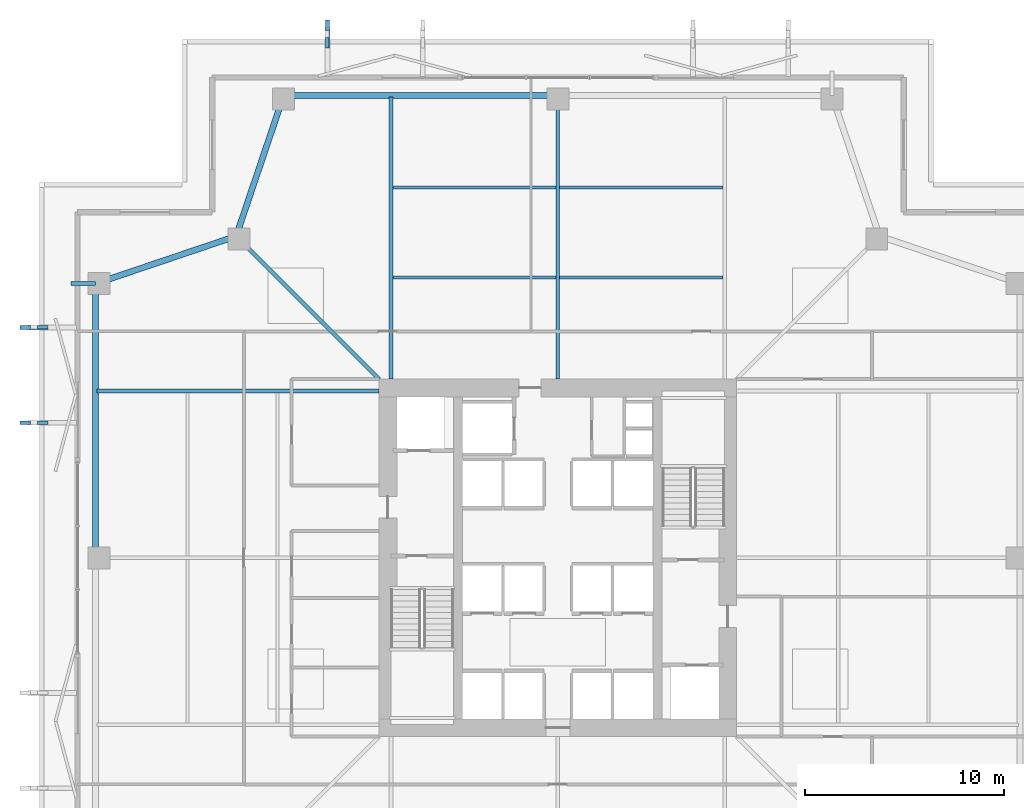
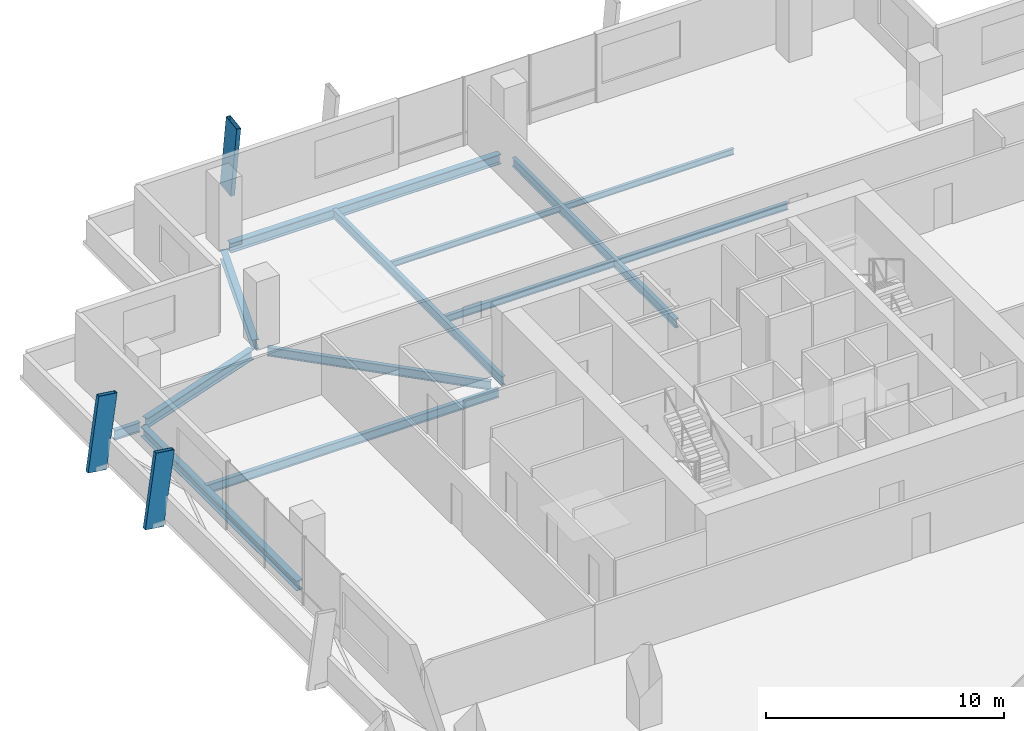
# One storey, part 9 of 16: 13 beams, 3 members.
"""IFC4 building model written with IfcOpenShell, lengths in metres."""

from ifc_helpers import new_model, si_unit, direction, frame, origin, origin_2d, place, context, subcontext, project, spatial, hollow_rectangle, i_section, extrude, material, material_profile, profile_set, type_object, element, save


model = new_model("IFC4")

# Units and contexts
model_context = context("Model", 3, precision=1e-05, world=origin(), true_north=direction((0.0, 1.0)))
body_context = subcontext(model_context, "Body", "Model", "MODEL_VIEW")
ifc_project = project(units=[si_unit("LENGTHUNIT", "METRE"), si_unit("AREAUNIT", "SQUARE_METRE"), si_unit("VOLUMEUNIT", "CUBIC_METRE"), si_unit("PLANEANGLEUNIT", "RADIAN"), si_unit("MASSUNIT", "GRAM", prefix="KILO")], contexts=[model_context])

# Site, building, storey
site_placement = place(None, origin())
site = spatial("IfcSite", under=ifc_project, at=site_placement, CompositionType="ELEMENT")
building_placement = place(site_placement, origin())
building = spatial("IfcBuilding", under=site, at=building_placement, Name="Belovzor Exchange Tower", CompositionType="ELEMENT")
storey_placement = place(building_placement, frame((0.0, 0.0, 138.300048828125)))
storey = spatial("IfcBuildingStorey", under=building, at=storey_placement, Name="L33", CompositionType="ELEMENT", Elevation=138.300048828125)

# Beams
ifc_material_1 = material(Name="Steel S355", Category="steel")
ifc_material_profile_1 = material_profile(ifc_material_1, i_section(OverallWidth=0.199951171875, OverallDepth=0.5, WebThickness=0.01025390625, FlangeThickness=0.01611328125, at=origin_2d()))
ifc_profile_set_1 = profile_set([ifc_material_profile_1], Name="Steel S355")
beam_type_1 = type_object("IfcBeamType", Name="Planted Balcony Cantilever Beam IPE 500", PredefinedType="BEAM", material=ifc_profile_set_1)
beam_1_placement = place(storey_placement, frame((5.531982421875, 42.60009765625, -0.505126953125), z_axis=(-1.0, 0.0, 0.0), x_axis=(0.0, -1.0, 0.0)))
element("IfcBeam", 1, at=beam_1_placement, inside=storey, type_object=beam_type_1, Name="BC-500 Planted Balcony Cantilever Beam IPE 500", PredefinedType="BEAM", context=body_context, shape_type="SweptSolid", body=[
    extrude(i_section(OverallWidth=0.199951171875, OverallDepth=0.5, WebThickness=0.01025390625, FlangeThickness=0.01611328125, at=origin_2d()), origin(), (0.0, 0.0, 1.0), 1.23193359375),
])
ifc_material_2 = material(Name="Steel S355", Category="steel")
ifc_material_profile_2 = material_profile(ifc_material_2, i_section(OverallWidth=0.169921875, OverallDepth=0.360107421875, WebThickness=0.008056640625, FlangeThickness=0.0126953125, at=origin_2d()))
ifc_profile_set_2 = profile_set([ifc_material_profile_2], Name="Steel S355")
beam_type_2 = type_object("IfcBeamType", Name="Secondary Infill Floor Joist IPE 360", PredefinedType="BEAM", material=ifc_profile_set_2)
for number, where, z_axis, x_axis, name in (
    (2, (20.4951171875, 42.908935546875, -0.43505859375), (1.0, 0.0, 0.0), (0.0, 1.0, 0.0), "FJ-360 Secondary Infill Floor Joist IPE 360"),
    (3, (28.89501953125, 42.908935546875, -0.43505859375), (1.0, 0.0, 0.0), (0.0, 1.0, 0.0), "FJ-360 Secondary Infill Floor Joist IPE 360"),
):
    element("IfcBeam", number, at=place(storey_placement, frame(where, z_axis=z_axis, x_axis=x_axis)), inside=storey, type_object=beam_type_2, Name=name, PredefinedType="BEAM", context=body_context, shape_type="SweptSolid", body=[
        extrude(i_section(OverallWidth=0.169921875, OverallDepth=0.360107421875, WebThickness=0.008056640625, FlangeThickness=0.0126953125, at=origin_2d()), origin(), (0.0, 0.0, 1.0), 8.2099609375),
    ])
ifc_material_3 = material(Name="Steel S355", Category="steel")
ifc_material_profile_3 = material_profile(ifc_material_3, i_section(OverallWidth=0.14990234375, OverallDepth=0.300048828125, WebThickness=0.007080078125, FlangeThickness=0.0107421875, at=origin_2d()))
ifc_profile_set_3 = profile_set([ifc_material_profile_3], Name="Steel S355")
beam_type_3 = type_object("IfcBeamType", Name="Secondary Trim Floor Joist IPE 300", PredefinedType="BEAM", material=ifc_profile_set_3)
for number, where, z_axis, x_axis, name in (
    (4, (20.4951171875, 47.450927734375, -0.405029296875), (1.0, 0.0, 0.0), (0.0, 1.0, 0.0), "FJ-300 Secondary Trim Floor Joist IPE 300"),
    (5, (28.89501953125, 47.450927734375, -0.405029296875), (1.0, 0.0, 0.0), (0.0, 1.0, 0.0), "FJ-300 Secondary Trim Floor Joist IPE 300"),
):
    element("IfcBeam", number, at=place(storey_placement, frame(where, z_axis=z_axis, x_axis=x_axis)), inside=storey, type_object=beam_type_3, Name=name, PredefinedType="BEAM", context=body_context, shape_type="SweptSolid", body=[
        extrude(i_section(OverallWidth=0.14990234375, OverallDepth=0.300048828125, WebThickness=0.007080078125, FlangeThickness=0.0107421875, at=origin_2d()), origin(), (0.0, 0.0, 1.0), 8.2099609375),
    ])

# Members
ifc_material_4 = material(Name="Extruded Architectural Terracotta on Steel S355 Carrier", Category="masonry")
ifc_material_profile_4 = material_profile(ifc_material_4, hollow_rectangle(XDim=0.199951171875, YDim=0.89990234375, WallThickness=0.011962890625, at=origin_2d()))
ifc_profile_set_4 = profile_set([ifc_material_profile_4], Name="Extruded Architectural Terracotta on Steel S355 Carrier")
member_type = type_object("IfcMemberType", Name="Sweeping Terracotta Baguette Fin Assembly 1250", PredefinedType="USERDEFINED", material=ifc_profile_set_4)
for number, where, z_axis, x_axis, name in (
    (6, (17.199951171875, 55.425048828125, -0.255126953125), (0.0, -0.136851262382, 0.990591607063), (1.0, 0.0, 0.0), "FIN-TC125 Terracotta Facade Fin L33 N1"),
    (7, (2.175048828125, 35.60009765625, -0.255126953125), (0.136851262382, 0.0, 0.990591607063), (0.0, 1.0, 0.0), "FIN-TC125 Terracotta Facade Fin L33 W3"),
    (8, (2.175048828125, 40.39990234375, -0.255126953125), (0.136851262382, 0.0, 0.990591607063), (0.0, 1.0, 0.0), "FIN-TC125 Terracotta Facade Fin L33 W4"),
):
    element("IfcMember", number, at=place(storey_placement, frame(where, z_axis=z_axis, x_axis=x_axis)), inside=storey, type_object=member_type, Name=name, ObjectType="FIN", PredefinedType="USERDEFINED", context=body_context, shape_type="SweptSolid", body=[
        extrude(hollow_rectangle(XDim=0.199951171875, YDim=0.89990234375, WallThickness=0.011962890625, at=origin_2d()), origin(), (0.0, 0.0, 1.0), 3.78564453125),
    ])

# Beams
ifc_material_5 = material(Name="Steel S355", Category="steel")
ifc_material_profile_5 = material_profile(ifc_material_5, i_section(OverallWidth=0.18994140625, OverallDepth=0.449951171875, WebThickness=0.009521484375, FlangeThickness=0.0146484375, at=origin_2d()))
ifc_profile_set_5 = profile_set([ifc_material_profile_5], Name="Steel S355")
beam_type_4 = type_object("IfcBeamType", Name="Zone 2-4 Radial Composite Floor Beam IPE 450", PredefinedType="BEAM", material=ifc_profile_set_5)
beam_2_placement = place(storey_placement, frame((20.39990234375, 37.800048828125, -0.47998046875), z_axis=(0.0, 1.0, 0.0), x_axis=(-1.0, 0.0, 0.0)))
element("IfcBeam", 9, at=beam_2_placement, inside=storey, type_object=beam_type_4, Name="FB-450 Zone 2-4 Radial Composite Floor Beam IPE 450", PredefinedType="BEAM", context=body_context, shape_type="SweptSolid", body=[
    extrude(i_section(OverallWidth=0.18994140625, OverallDepth=0.449951171875, WebThickness=0.009521484375, FlangeThickness=0.0146484375, at=origin_2d()), origin(), (0.0, 0.0, 1.0), 14.19287109375),
])
beam_3_placement = place(storey_placement, frame((28.800048828125, 37.800048828125, -0.47998046875), z_axis=(0.0, 1.0, 0.0), x_axis=(-1.0, 0.0, 0.0)))
element("IfcBeam", 10, at=beam_3_placement, inside=storey, type_object=beam_type_4, Name="FB-450 Zone 2-4 Radial Composite Floor Beam IPE 450", PredefinedType="BEAM", context=body_context, shape_type="SweptSolid", body=[
    extrude(i_section(OverallWidth=0.18994140625, OverallDepth=0.449951171875, WebThickness=0.009521484375, FlangeThickness=0.0146484375, at=origin_2d()), origin(), (0.0, 0.0, 1.0), 13.68798828125),
])
beam_4_placement = place(storey_placement, frame((19.800048828125, 37.199951171875, -0.47998046875), z_axis=(-1.0, 0.0, 0.0), x_axis=(0.0, -1.0, 0.0)))
element("IfcBeam", 11, at=beam_4_placement, inside=storey, type_object=beam_type_4, Name="FB-450 Zone 2-4 Radial Composite Floor Beam IPE 450", PredefinedType="BEAM", context=body_context, shape_type="SweptSolid", body=[
    extrude(i_section(OverallWidth=0.18994140625, OverallDepth=0.449951171875, WebThickness=0.009521484375, FlangeThickness=0.0146484375, at=origin_2d()), origin(), (0.0, 0.0, 1.0), 14.193115234375),
])
beam_5_placement = place(storey_placement, frame((19.800048828125, 37.800048828125, -0.47998046875), z_axis=(-0.707106781187, 0.707106781187, 0.0), x_axis=(-0.707106781187, -0.707106781187, 0.0)))
element("IfcBeam", 12, at=beam_5_placement, inside=storey, type_object=beam_type_4, Name="FB-450 Zone 2-4 Radial Composite Floor Beam IPE 450", PredefinedType="BEAM", context=body_context, shape_type="SweptSolid", body=[
    extrude(i_section(OverallWidth=0.18994140625, OverallDepth=0.449951171875, WebThickness=0.009521484375, FlangeThickness=0.0146484375, at=origin_2d()), origin(), (0.0, 0.0, 1.0), 9.70849609375),
])
ifc_material_6 = material(Name="Steel S355", Category="steel")
ifc_material_profile_6 = material_profile(ifc_material_6, i_section(OverallWidth=0.300048828125, OverallDepth=0.5, WebThickness=0.014404296875, FlangeThickness=0.028076171875, at=origin_2d()))
ifc_profile_set_6 = profile_set([ifc_material_profile_6], Name="Steel S355")
beam_type_5 = type_object("IfcBeamType", Name="Zone 3 Waist Primary Girder HEB 500", PredefinedType="BEAM", material=ifc_profile_set_6)
beam_6_placement = place(storey_placement, frame((28.44189453125, 52.068115234375, -0.505126953125), z_axis=(-1.0, 0.0, 0.0), x_axis=(0.0, -1.0, 0.0)))
element("IfcBeam", 13, at=beam_6_placement, inside=storey, type_object=beam_type_5, Name="FG-Z3 Zone 3 Waist Primary Girder HEB 500", PredefinedType="BEAM", context=body_context, shape_type="SweptSolid", body=[
    extrude(i_section(OverallWidth=0.300048828125, OverallDepth=0.5, WebThickness=0.014404296875, FlangeThickness=0.028076171875, at=origin_2d()), origin(), (0.0, 0.0, 1.0), 13.0849609375),
])
for number, where, z_axis, x_axis, name in (
    (14, (14.885986328125, 51.72900390625, -0.505126953125), (-0.320030896721, -0.94740710634, 0.0), (0.94740710634, -0.320030896721, 0.0), "FG-Z3 Zone 3 Waist Primary Girder HEB 500"),
    (15, (12.27099609375, 44.8759765625, -0.505126953125), (-0.94740710634, -0.320030896721, 0.0), (0.320030896721, -0.94740710634, 0.0), "FG-Z3 Zone 3 Waist Primary Girder HEB 500"),
):
    element("IfcBeam", number, at=place(storey_placement, frame(where, z_axis=z_axis, x_axis=x_axis)), inside=storey, type_object=beam_type_5, Name=name, PredefinedType="BEAM", context=body_context, shape_type="SweptSolid", body=[
        extrude(i_section(OverallWidth=0.300048828125, OverallDepth=0.5, WebThickness=0.014404296875, FlangeThickness=0.028076171875, at=origin_2d()), origin(), (0.0, 0.0, 1.0), 6.755126953125),
    ])
beam_7_placement = place(storey_placement, frame((5.531982421875, 42.241943359375, -0.505126953125), z_axis=(0.0, -1.0, 0.0), x_axis=(1.0, 0.0, 0.0)))
element("IfcBeam", 16, at=beam_7_placement, inside=storey, type_object=beam_type_5, Name="FG-Z3 Zone 3 Waist Primary Girder HEB 500", PredefinedType="BEAM", context=body_context, shape_type="SweptSolid", body=[
    extrude(i_section(OverallWidth=0.300048828125, OverallDepth=0.5, WebThickness=0.014404296875, FlangeThickness=0.028076171875, at=origin_2d()), origin(), (0.0, 0.0, 1.0), 13.083984375),
])

save(model, "model.ifc")
